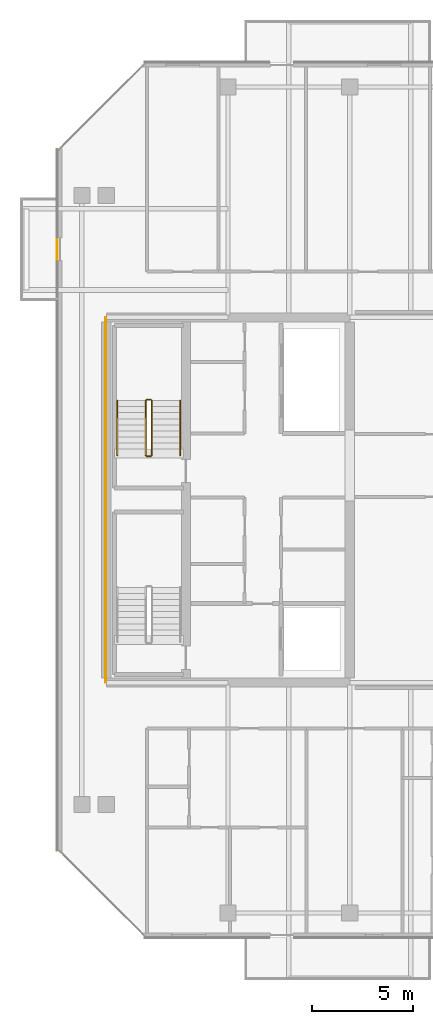
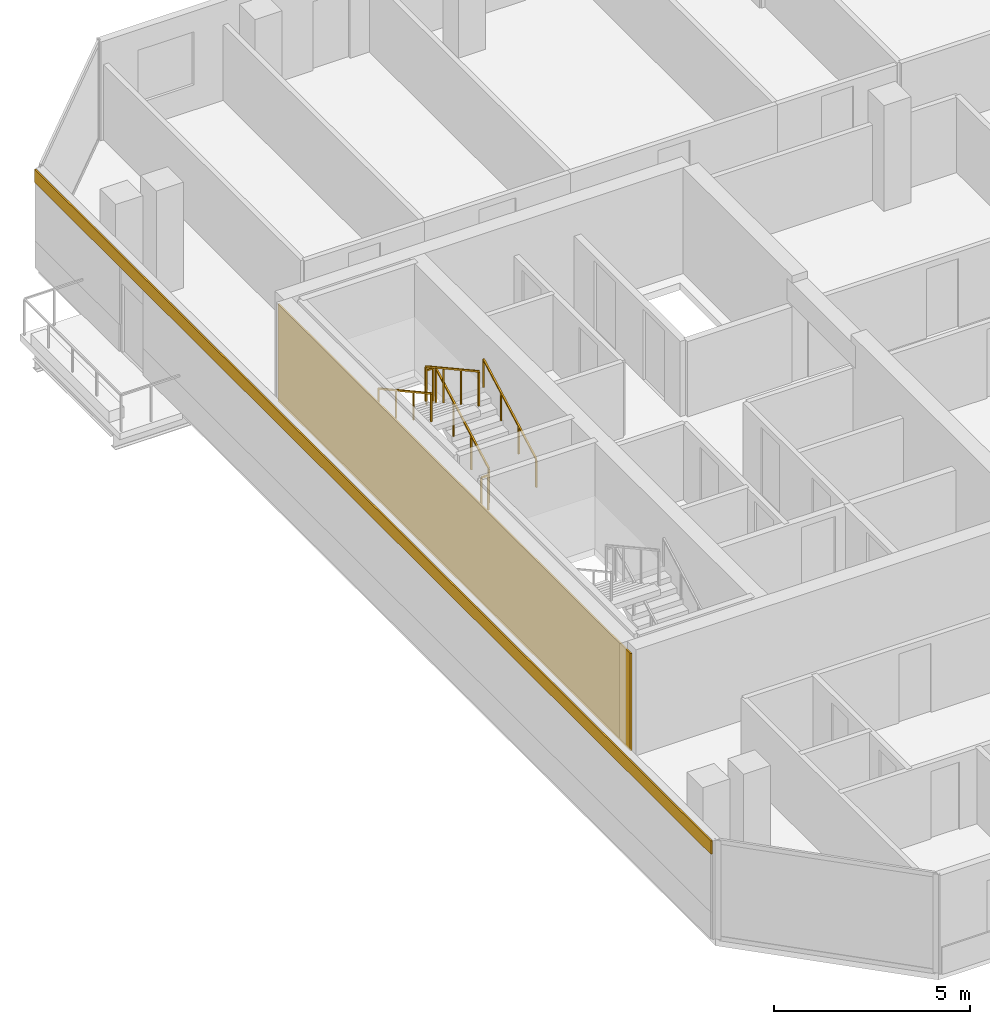
# One storey, part 26 of 28: 6 railings, 2 coverings.
"""IFC4 building model written with IfcOpenShell, lengths in metres."""

from ifc_helpers import new_model, si_unit, direction, frame, origin, origin_2d, place, context, subcontext, project, spatial, rectangle, extrude, material, layer, layer_set, type_object, element, save


model = new_model("IFC4")

# Units and contexts
model_context = context("Model", 3, precision=1e-05, world=origin(), true_north=direction((0.0, 1.0)))
body_context = subcontext(model_context, "Body", "Model", "MODEL_VIEW")
ifc_project = project(units=[si_unit("LENGTHUNIT", "METRE"), si_unit("AREAUNIT", "SQUARE_METRE"), si_unit("VOLUMEUNIT", "CUBIC_METRE"), si_unit("PLANEANGLEUNIT", "RADIAN"), si_unit("MASSUNIT", "GRAM", prefix="KILO")], contexts=[model_context])

# Site, building, storey
site_placement = place(None, origin())
site = spatial("IfcSite", under=ifc_project, at=site_placement, CompositionType="ELEMENT")
building_placement = place(site_placement, origin())
building = spatial("IfcBuilding", under=site, at=building_placement, Name="Tanjung Sevakor Pilgrim Tower", CompositionType="ELEMENT")
storey_placement = place(building_placement, frame((0.0, 0.0, 185.1298828125)))
storey = spatial("IfcBuildingStorey", under=building, at=storey_placement, Name="L51", CompositionType="ELEMENT", Elevation=185.1298828125)

# Coverings
ifc_material_1 = material(Name="Reconstructed Limestone Cladding", Category="masonry")
ifc_layer = layer(ifc_material_1, 0.044921875)
ifc_layer_set = layer_set([ifc_layer], Name="COV-CLAD-LIMESTONE")
covering_type = type_object("IfcCoveringType", Name="COV-CLAD-LIMESTONE", PredefinedType="CLADDING", material=ifc_layer_set)
covering_1_placement = place(storey_placement, frame((21.577392578125, 33.60009765625, 2.66015625), z_axis=(0.0, 0.0, 1.0), x_axis=(0.0, -1.0, 0.0)))
element("IfcCovering", 1, at=covering_1_placement, inside=storey, type_object=covering_type, Name="L51 Warm Limestone Cornice Spandrel EW-L51-MAIN-15", PredefinedType="CLADDING", context=body_context, shape_type="SweptSolid", body=[
    extrude(rectangle(XDim=34.56884765625, YDim=0.044921875, at=origin_2d()), origin(), (0.0, 0.0, 1.0), 0.409912109375),
])
covering_2_placement = place(storey_placement, frame((23.9775390625, 33.60009765625, 0.02001953125), z_axis=(0.0, 0.0, 1.0), x_axis=(1.0, 0.0, 0.0)))
element("IfcCovering", 2, at=covering_2_placement, inside=storey, type_object=covering_type, Name="L51 Expressed Core Warm Limestone Cladding W", PredefinedType="CLADDING", context=body_context, shape_type="SweptSolid", body=[
    extrude(rectangle(XDim=0.044921875, YDim=18.0, at=origin_2d()), origin(), (0.0, 0.0, 1.0), 3.0400390625),
])

# Railings
ifc_material_2 = material(Name="Steel S355J2", Category="steel")
railing_type_1 = type_object("IfcRailingType", Name="RL-STAIR-GUARD", PredefinedType="GUARDRAIL", material=ifc_material_2)
railing_1_placement = place(storey_placement, frame((26.25, 35.800048828125, 0.1650390625)))
element("IfcRailing", 3, at=railing_1_placement, inside=storey, type_object=railing_type_1, Name="L51 TS-W2 stair guard 1", PredefinedType="GUARDRAIL", context=body_context, shape_type="SweptSolid", body=[
    extrude(rectangle(XDim=0.0479, YDim=0.0479), frame((0.0, 0.0, 1.076171875), z_axis=(0.0, 0.876197507361, 0.481952205197), x_axis=(-1.0, 0.0, 0.0)), (0.0, 0.0, 1.0), 3.08154296875),
    extrude(rectangle(XDim=0.042, YDim=0.042), origin(), (0.0, 0.0, 1.0), 1.052001953125),
    extrude(rectangle(XDim=0.042, YDim=0.042), frame((0.0, 0.89990234375, 0.4951171875)), (0.0, 0.0, 1.0), 1.052001953125),
    extrude(rectangle(XDim=0.042, YDim=0.042), frame((0.0, 1.800048828125, 0.989990234375)), (0.0, 0.0, 1.0), 1.052001953125),
    extrude(rectangle(XDim=0.042, YDim=0.042), frame((0.0, 2.699951171875, 1.485107421875)), (0.0, 0.0, 1.0), 1.052001953125),
])
railing_2_placement = place(storey_placement, frame((26.199951171875, 38.550048828125, 1.650146484375)))
element("IfcRailing", 4, at=railing_2_placement, inside=storey, type_object=railing_type_1, Name="L51 TS-W2 stair guard 2", PredefinedType="GUARDRAIL", context=body_context, shape_type="SweptSolid", body=[
    extrude(rectangle(XDim=0.0479, YDim=0.0479), frame((0.0, 0.0, 1.076171875), z_axis=(-1.0, 0.0, 0.0), x_axis=(0.0, -1.0, 0.0)), (0.0, 0.0, 1.0), 0.199951171875),
    extrude(rectangle(XDim=0.042, YDim=0.042), origin(), (0.0, 0.0, 1.0), 1.052001953125),
    extrude(rectangle(XDim=0.042, YDim=0.042), frame((-0.199951171875, 0.0, 0.0)), (0.0, 0.0, 1.0), 1.052001953125),
])
railing_3_placement = place(storey_placement, frame((25.949951171875, 38.5, 1.815185546875)))
element("IfcRailing", 5, at=railing_3_placement, inside=storey, type_object=railing_type_1, Name="L51 TS-W2 stair guard 3", PredefinedType="GUARDRAIL", context=body_context, shape_type="SweptSolid", body=[
    extrude(rectangle(XDim=0.0479, YDim=0.0479), frame((0.0, 0.0, 1.076171875), z_axis=(0.0, -0.876230963923, 0.481891375584), x_axis=(1.0, 0.0, 0.0)), (0.0, 0.0, 1.0), 3.081298828125),
    extrude(rectangle(XDim=0.042, YDim=0.042), origin(), (0.0, 0.0, 1.0), 1.052001953125),
    extrude(rectangle(XDim=0.042, YDim=0.042), frame((0.0, -0.89990234375, 0.494873046875)), (0.0, 0.0, 1.0), 1.052001953125),
    extrude(rectangle(XDim=0.042, YDim=0.042), frame((0.0, -1.800048828125, 0.989990234375)), (0.0, 0.0, 1.0), 1.052001953125),
    extrude(rectangle(XDim=0.042, YDim=0.042), frame((0.0, -2.699951171875, 1.48486328125)), (0.0, 0.0, 1.0), 1.052001953125),
])
railing_4_placement = place(storey_placement, frame((26.199951171875, 35.75, 0.0)))
element("IfcRailing", 6, at=railing_4_placement, inside=storey, type_object=railing_type_1, Name="L51 TS-W2 stair guard 4", PredefinedType="GUARDRAIL", context=body_context, shape_type="SweptSolid", body=[
    extrude(rectangle(XDim=0.0479, YDim=0.0479), frame((0.0, 0.0, 1.076171875), z_axis=(-1.0, 0.0, 0.0), x_axis=(0.0, -1.0, 0.0)), (0.0, 0.0, 1.0), 0.199951171875),
    extrude(rectangle(XDim=0.042, YDim=0.042), origin(), (0.0, 0.0, 1.0), 1.052001953125),
    extrude(rectangle(XDim=0.042, YDim=0.042), frame((-0.199951171875, 0.0, 0.0)), (0.0, 0.0, 1.0), 1.052001953125),
])
ifc_material_3 = material(Name="Steel S355J2", Category="steel")
railing_type_2 = type_object("IfcRailingType", Name="RL-STAIR-HAND", PredefinedType="HANDRAIL", material=ifc_material_3)
railing_5_placement = place(storey_placement, frame((27.64990234375, 35.800048828125, 0.1650390625)))
element("IfcRailing", 7, at=railing_5_placement, inside=storey, type_object=railing_type_2, Name="L51 TS-W2 stair handrail 1", PredefinedType="HANDRAIL", context=body_context, shape_type="SweptSolid", body=[
    extrude(rectangle(XDim=0.0479, YDim=0.0479), frame((0.0, 0.0, 0.8759765625), z_axis=(0.0, 0.876197507361, 0.481952205197), x_axis=(-1.0, 0.0, 0.0)), (0.0, 0.0, 1.0), 3.08154296875),
    extrude(rectangle(XDim=0.042, YDim=0.042), origin(), (0.0, 0.0, 1.0), 0.851806640625),
    extrude(rectangle(XDim=0.042, YDim=0.042), frame((0.0, 0.89990234375, 0.4951171875)), (0.0, 0.0, 1.0), 0.851806640625),
    extrude(rectangle(XDim=0.042, YDim=0.042), frame((0.0, 1.800048828125, 0.989990234375)), (0.0, 0.0, 1.0), 0.851806640625),
    extrude(rectangle(XDim=0.042, YDim=0.042), frame((0.0, 2.699951171875, 1.485107421875)), (0.0, 0.0, 1.0), 0.851806640625),
])
railing_6_placement = place(storey_placement, frame((24.550048828125, 38.5, 1.815185546875)))
element("IfcRailing", 8, at=railing_6_placement, inside=storey, type_object=railing_type_2, Name="L51 TS-W2 stair handrail 2", PredefinedType="HANDRAIL", context=body_context, shape_type="SweptSolid", body=[
    extrude(rectangle(XDim=0.0479, YDim=0.0479), frame((0.0, 0.0, 0.8759765625), z_axis=(0.0, -0.876230963923, 0.481891375584), x_axis=(1.0, 0.0, 0.0)), (0.0, 0.0, 1.0), 3.081298828125),
    extrude(rectangle(XDim=0.042, YDim=0.042), origin(), (0.0, 0.0, 1.0), 0.851806640625),
    extrude(rectangle(XDim=0.042, YDim=0.042), frame((0.0, -0.89990234375, 0.494873046875)), (0.0, 0.0, 1.0), 0.851806640625),
    extrude(rectangle(XDim=0.042, YDim=0.042), frame((0.0, -1.800048828125, 0.989990234375)), (0.0, 0.0, 1.0), 0.851806640625),
    extrude(rectangle(XDim=0.042, YDim=0.042), frame((0.0, -2.699951171875, 1.48486328125)), (0.0, 0.0, 1.0), 0.851806640625),
])

save(model, "model.ifc")
